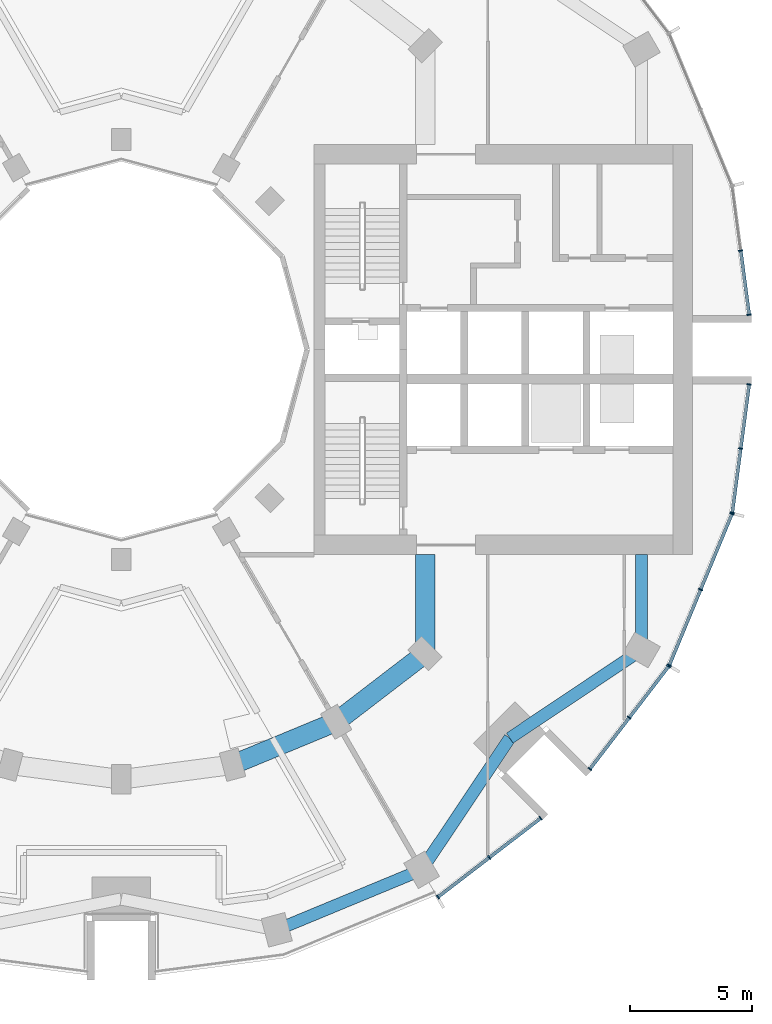
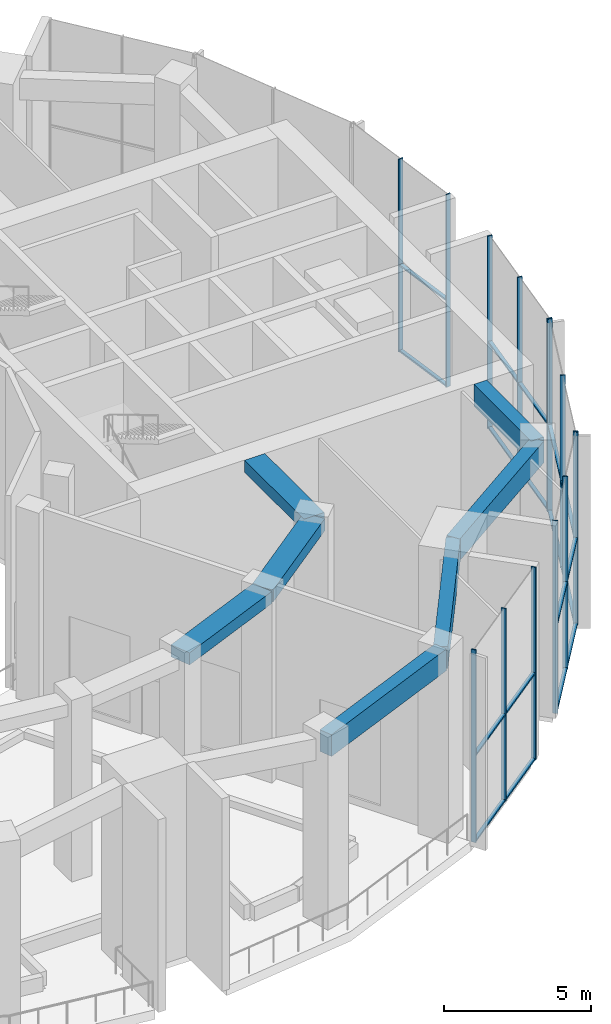
# One storey, part 5 of 18: 32 members, 7 beams, 5 elements without a shape of their own.
"""IFC4 building model written with IfcOpenShell, lengths in metres."""

import ifcopenshell
import ifcopenshell.guid

model = None  # the IFC model being written
_history = None  # IfcOwnerHistory: only IFC2X3 demands one
_inside = {}  # id of a spatial element -> (the spatial element, [elements in it])
_under = {}  # id of a project, library or spatial element -> (it, [spatial elements below it])
_declared = {}  # id of a project -> (the project, [libraries it declares])
_typed = {}  # id of a type object -> (the type object, [elements of that type])
_made_of = {}  # id of a material, layer set ... -> (it, [elements and type objects made of it])


def new_model(schema):
    """Start an empty IFC model of exactly this schema.

    Asked for "IFC4X3", IfcOpenShell would pick the latest addendum, in which some entities
    have other attributes; the version numbers below select the first issue.
    IFC2X3 requires an IfcOwnerHistory on every rooted entity: one is made here for all.
    """
    global model, _history
    if schema == "IFC4X3":
        model = ifcopenshell.file(schema_version=(4, 3, 0, 0))
    else:
        model = ifcopenshell.file(schema=schema)
    _inside.clear()
    _under.clear()
    _declared.clear()
    _typed.clear()
    _made_of.clear()
    _history = None
    if model.schema == "IFC2X3":
        org = make("IfcOrganization", Name="unknown")
        user = make(
            "IfcPersonAndOrganization",
            ThePerson=make("IfcPerson", FamilyName="unknown"),
            TheOrganization=org,
        )
        app = make(
            "IfcApplication",
            ApplicationDeveloper=org,
            Version="unknown",
            ApplicationFullName="unknown",
            ApplicationIdentifier="unknown",
        )
        _history = make(
            "IfcOwnerHistory",
            OwningUser=user,
            OwningApplication=app,
            ChangeAction="ADDED",
            CreationDate=0,
        )
    return model


def make(cls, **values):
    """One entity of the class cls with the attributes given. An attribute that is None is left unset."""
    return model.create_entity(
        cls, **{name: value for name, value in values.items() if value is not None}
    )


def rooted(cls, **values):
    """An entity with a GlobalId (a new one), such as an element, a storey or a relation."""
    return make(cls, GlobalId=ifcopenshell.guid.new(), OwnerHistory=_history, **values)


def si_unit(unit_type, name, prefix=None):
    """IfcSIUnit, for example si_unit("LENGTHUNIT", "METRE", prefix="MILLI")."""
    return make("IfcSIUnit", UnitType=unit_type, Prefix=prefix, Name=name)


def assignment(units):
    """IfcUnitAssignment: the units of a project."""
    return None if units is None else make("IfcUnitAssignment", Units=units)


def point(xyz):
    """IfcCartesianPoint."""
    return None if xyz is None else make("IfcCartesianPoint", Coordinates=xyz)


def direction(xyz):
    """IfcDirection."""
    return None if xyz is None else make("IfcDirection", DirectionRatios=xyz)


def frame(location, z_axis=None, x_axis=None):
    """IfcAxis2Placement3D, a coordinate frame: its origin and axes. An axis left out is left unset."""
    return make(
        "IfcAxis2Placement3D",
        Location=point(location),
        Axis=direction(z_axis),
        RefDirection=direction(x_axis),
    )


def frame_2d(location, x_axis=None):
    """IfcAxis2Placement2D, a coordinate frame in the plane: its origin and x axis."""
    return make(
        "IfcAxis2Placement2D", Location=point(location), RefDirection=direction(x_axis)
    )


def origin():
    """The frame at (0, 0, 0) with its axes left unset."""
    return frame((0.0, 0.0, 0.0))


def origin_2d():
    """The frame at (0, 0) in the plane with its x axis left unset."""
    return frame_2d((0.0, 0.0))


def place(relative_to, where):
    """IfcLocalPlacement: puts the frame where relative to a parent placement (None: the world)."""
    return make(
        "IfcLocalPlacement", PlacementRelTo=relative_to, RelativePlacement=where
    )


def context(
    kind, dimensions, precision=None, world=None, true_north=None, identifier=None
):
    """IfcGeometricRepresentationContext, for example the 3D "Model" context."""
    return make(
        "IfcGeometricRepresentationContext",
        ContextIdentifier=identifier,
        ContextType=kind,
        CoordinateSpaceDimension=dimensions,
        Precision=precision,
        WorldCoordinateSystem=world,
        TrueNorth=true_north,
    )


def subcontext(parent, identifier, kind, view, scale=None):
    """IfcGeometricRepresentationSubContext, for example "Body" below "Model"."""
    return make(
        "IfcGeometricRepresentationSubContext",
        ContextIdentifier=identifier,
        ContextType=kind,
        ParentContext=parent,
        TargetScale=scale,
        TargetView=view,
    )


def project(units=None, contexts=None):
    """IfcProject with its units and contexts."""
    return rooted(
        "IfcProject",
        Name="project",
        RepresentationContexts=contexts,
        UnitsInContext=assignment(units),
    )


def spatial(cls, under=None, at=None, **own):
    """A site, building, storey or space (cls), placed at a placement, below another one or the project."""
    s = rooted(cls, ObjectPlacement=at, **own)
    if under is not None:
        _under.setdefault(under.id(), (under, []))[1].append(s)
    return s


def profile(cls, at=None, kind="AREA", **sizes):
    """A parametric profile (cls). Its sizes go by their IFC names, for example OverallWidth=200.0."""
    return make(cls, ProfileType=kind, Position=at, **sizes)


def rectangle(**sizes):
    """IfcRectangleProfileDef."""
    return profile("IfcRectangleProfileDef", **sizes)


def extrude(swept, where, along, depth):
    """IfcExtrudedAreaSolid: the profile swept, set in the frame where, extruded along a direction by depth."""
    return make(
        "IfcExtrudedAreaSolid",
        SweptArea=swept,
        Position=where,
        ExtrudedDirection=direction(along),
        Depth=depth,
    )


def shape(context_of_items, identifier, shape_type, items):
    """IfcShapeRepresentation: the items that make up one representation, for example the "Body"."""
    return make(
        "IfcShapeRepresentation",
        ContextOfItems=context_of_items,
        RepresentationIdentifier=identifier,
        RepresentationType=shape_type,
        Items=items,
    )


def material(Name=None, Category=None):
    """IfcMaterial."""
    return make("IfcMaterial", Name=Name, Category=Category)


def layer(
    of_material, thickness, ventilated=None, Name=None, Category=None, Priority=None
):
    """IfcMaterialLayer: one layer of a wall or slab, of a material (None: an air gap)."""
    return make(
        "IfcMaterialLayer",
        Material=of_material,
        LayerThickness=thickness,
        IsVentilated=ventilated,
        Name=Name,
        Category=Category,
        Priority=Priority,
    )


def layer_set(layers, Name=None):
    """IfcMaterialLayerSet."""
    return make("IfcMaterialLayerSet", MaterialLayers=layers, LayerSetName=Name)


def material_profile(
    of_material, cross_section, Name=None, Category=None, Priority=None
):
    """IfcMaterialProfile: a cross section and its material."""
    return make(
        "IfcMaterialProfile",
        Name=Name,
        Material=of_material,
        Profile=cross_section,
        Priority=Priority,
        Category=Category,
    )


def profile_set(profiles, Name=None, composite=None):
    """IfcMaterialProfileSet."""
    return make(
        "IfcMaterialProfileSet",
        Name=Name,
        MaterialProfiles=profiles,
        CompositeProfile=composite,
    )


def made_of(thing, what):
    """Note that an element or type object is made of a material, layer set ...; save() writes the relation."""
    if what is not None:
        _made_of.setdefault(what.id(), (what, []))[1].append(thing)
    return thing


def type_object(cls, material=None, **own):
    """A type object (cls), such as IfcWallType, which elements share."""
    return made_of(rooted(cls, **own), material)


def element(
    cls,
    number,
    at=None,
    inside=None,
    cuts=None,
    type_object=None,
    material=None,
    context=None,
    identifier="Body",
    shape_type=None,
    held_by="IfcProductDefinitionShape",
    body=None,
    shapes=None,
    **own,
):
    """One element of the class cls, such as IfcWall. Its Tag is "e" and its number.

    at: its placement. inside: the storey or other place that contains it. cuts: it is an
    opening in that element (IfcRelVoidsElement). A single representation is given by context,
    identifier, shape_type and body (its items); several are given by shapes. held_by: the class
    of the entity that holds the representations. save() writes the other relations.
    """
    e = rooted(cls, Tag="e%d" % number, ObjectPlacement=at, **own)
    if body is not None:
        shapes = [shape(context, identifier, shape_type, body)]
    if shapes is not None:
        e.Representation = make(held_by, Representations=shapes)
    if inside is not None:
        _inside.setdefault(inside.id(), (inside, []))[1].append(e)
    if cuts is not None:
        rooted(
            "IfcRelVoidsElement", RelatingBuildingElement=cuts, RelatedOpeningElement=e
        )
    if type_object is not None:
        _typed.setdefault(type_object.id(), (type_object, []))[1].append(e)
    return made_of(e, material)


def aggregate(whole, parts):
    """IfcRelAggregates: a whole, such as a stair, and the parts it consists of."""
    return rooted("IfcRelAggregates", RelatingObject=whole, RelatedObjects=parts)


def save(model, path):
    """Write the relations noted so far, then the file.

    IfcRelAggregates (storeys below a building ...), IfcRelContainedInSpatialStructure (elements
    in a storey), IfcRelDefinesByType, IfcRelAssociatesMaterial and IfcRelDeclares: one each for
    every whole, place, type object, material and project.
    """
    for whole, parts in _under.values():
        aggregate(whole, parts)
    for where, things in _inside.values():
        rooted(
            "IfcRelContainedInSpatialStructure",
            RelatedElements=things,
            RelatingStructure=where,
        )
    for kind, things in _typed.values():
        rooted("IfcRelDefinesByType", RelatedObjects=things, RelatingType=kind)
    for what, things in _made_of.values():
        rooted("IfcRelAssociatesMaterial", RelatedObjects=things, RelatingMaterial=what)
    for by, libraries in _declared.values():
        rooted("IfcRelDeclares", RelatingContext=by, RelatedDefinitions=libraries)
    model.write(path)


model = new_model("IFC4")

# Units and contexts
model_context = context("Model", 3, precision=1e-05, world=origin(), true_north=direction((0.0, 1.0)))
body_context = subcontext(model_context, "Body", "Model", "MODEL_VIEW")
ifc_project = project(units=[si_unit("LENGTHUNIT", "METRE"), si_unit("AREAUNIT", "SQUARE_METRE"), si_unit("VOLUMEUNIT", "CUBIC_METRE"), si_unit("PLANEANGLEUNIT", "RADIAN"), si_unit("MASSUNIT", "GRAM", prefix="KILO")], contexts=[model_context])

# Site, building, storey
site_placement = place(None, origin())
site = spatial("IfcSite", under=ifc_project, at=site_placement, CompositionType="ELEMENT")
building_placement = place(site_placement, origin())
building = spatial("IfcBuilding", under=site, at=building_placement, Name="Torre Brocal", CompositionType="ELEMENT")
storey_placement = place(building_placement, frame((0.0, 0.0, 74.39990234375)))
storey = spatial("IfcBuildingStorey", under=building, at=storey_placement, Name="L17", CompositionType="ELEMENT", Elevation=74.39990234375)

# Curtain wall, members
ifc_material_1 = material(Name="Aluminium and glass", Category="aluminium")
ifc_layer = layer(ifc_material_1, 0.199951171875)
ifc_layer_set = layer_set([ifc_layer], Name="Aluminium and glass")
curtain_wall_type = type_object("IfcCurtainWallType", Name="CW-4 CURTAIN WALL 8000 HIGH", PredefinedType="NOTDEFINED", material=ifc_layer_set)
curtain_wall_1_placement = place(storey_placement, origin())
curtain_wall_1 = element("IfcCurtainWall", 1, at=curtain_wall_1_placement, inside=storey, type_object=curtain_wall_type, Name="CW-4 RUN 1", PredefinedType="NOTDEFINED")
ifc_material_2 = material(Name="Aluminium, dark anodised", Category="aluminium")
ifc_material_profile_1 = material_profile(ifc_material_2, rectangle(XDim=0.179931640625, YDim=0.050048828125, at=origin_2d()), Name="CW-4 MULLION 50X180")
ifc_profile_set_1 = profile_set([ifc_material_profile_1], Name="Aluminium, dark anodised")
member_type_1 = type_object("IfcMemberType", Name="CW-4 MULLION 50X180", PredefinedType="MULLION", material=ifc_profile_set_1)
member_1_placement = place(storey_placement, frame((105.711669921875, 76.4248046875, 0.0), z_axis=(0.0, 0.0, 1.0), x_axis=(-0.991444861374, -0.13052619222, 0.0)))
member_1 = element("IfcMember", 2, at=member_1_placement, type_object=member_type_1, Name="CW4-1 mullion 1", PredefinedType="MULLION", context=body_context, shape_type="SweptSolid", body=[
    extrude(rectangle(XDim=0.179931640625, YDim=0.050048828125, at=origin_2d()), origin(), (0.0, 0.0, 1.0), 8.0),
])
member_2_placement = place(storey_placement, frame((105.36572265625, 79.051513671875, 0.0), z_axis=(0.0, 0.0, 1.0), x_axis=(-0.991444861374, -0.13052619222, 0.0)))
member_2 = element("IfcMember", 3, at=member_2_placement, type_object=member_type_1, Name="CW4-1 mullion 2", PredefinedType="MULLION", context=body_context, shape_type="SweptSolid", body=[
    extrude(rectangle(XDim=0.179931640625, YDim=0.050048828125, at=origin_2d()), origin(), (0.0, 0.0, 1.0), 8.0),
])

curtain_wall_2_placement = place(storey_placement, origin())
curtain_wall_2 = element("IfcCurtainWall", 4, at=curtain_wall_2_placement, inside=storey, type_object=curtain_wall_type, Name="CW-4 RUN 21", PredefinedType="NOTDEFINED")
member_3_placement = place(storey_placement, frame((92.969482421875, 52.5859375, 0.0), z_axis=(0.0, 0.0, 1.0), x_axis=(-0.60876142905, 0.793353340259, 0.0)))
member_3 = element("IfcMember", 5, at=member_3_placement, type_object=member_type_1, Name="CW4-1 mullion 1", PredefinedType="MULLION", context=body_context, shape_type="SweptSolid", body=[
    extrude(rectangle(XDim=0.179931640625, YDim=0.050048828125, at=origin_2d()), origin(), (0.0, 0.0, 1.0), 8.0),
])
member_4_placement = place(storey_placement, frame((95.0712890625, 54.19873046875, 0.0), z_axis=(0.0, 0.0, 1.0), x_axis=(-0.60876142905, 0.793353340259, 0.0)))
member_4 = element("IfcMember", 6, at=member_4_placement, type_object=member_type_1, Name="CW4-1 mullion 2", PredefinedType="MULLION", context=body_context, shape_type="SweptSolid", body=[
    extrude(rectangle(XDim=0.179931640625, YDim=0.050048828125, at=origin_2d()), origin(), (0.0, 0.0, 1.0), 8.0),
])
member_5_placement = place(storey_placement, frame((97.17333984375, 55.811767578125, 0.0), z_axis=(0.0, 0.0, 1.0), x_axis=(-0.60876142905, 0.793353340259, 0.0)))
member_5 = element("IfcMember", 7, at=member_5_placement, type_object=member_type_1, Name="CW4-1 mullion 3", PredefinedType="MULLION", context=body_context, shape_type="SweptSolid", body=[
    extrude(rectangle(XDim=0.179931640625, YDim=0.050048828125, at=origin_2d()), origin(), (0.0, 0.0, 1.0), 8.0),
])

curtain_wall_3_placement = place(storey_placement, origin())
curtain_wall_3 = element("IfcCurtainWall", 8, at=curtain_wall_3_placement, inside=storey, type_object=curtain_wall_type, Name="CW-4 RUN 22", PredefinedType="NOTDEFINED")
member_6_placement = place(storey_placement, frame((99.188232421875, 57.82666015625, 0.0), z_axis=(0.0, 0.0, 1.0), x_axis=(-0.793353340259, 0.60876142905, 0.0)))
member_6 = element("IfcMember", 9, at=member_6_placement, type_object=member_type_1, Name="CW4-1 mullion 1", PredefinedType="MULLION", context=body_context, shape_type="SweptSolid", body=[
    extrude(rectangle(XDim=0.179931640625, YDim=0.050048828125, at=origin_2d()), origin(), (0.0, 0.0, 1.0), 8.0),
])
member_7_placement = place(storey_placement, frame((100.80126953125, 59.9287109375, 0.0), z_axis=(0.0, 0.0, 1.0), x_axis=(-0.793353340259, 0.60876142905, 0.0)))
member_7 = element("IfcMember", 10, at=member_7_placement, type_object=member_type_1, Name="CW4-1 mullion 2", PredefinedType="MULLION", context=body_context, shape_type="SweptSolid", body=[
    extrude(rectangle(XDim=0.179931640625, YDim=0.050048828125, at=origin_2d()), origin(), (0.0, 0.0, 1.0), 8.0),
])
member_8_placement = place(storey_placement, frame((102.4140625, 62.030517578125, 0.0), z_axis=(0.0, 0.0, 1.0), x_axis=(-0.793353340259, 0.60876142905, 0.0)))
member_8 = element("IfcMember", 11, at=member_8_placement, type_object=member_type_1, Name="CW4-1 mullion 3", PredefinedType="MULLION", context=body_context, shape_type="SweptSolid", body=[
    extrude(rectangle(XDim=0.179931640625, YDim=0.050048828125, at=origin_2d()), origin(), (0.0, 0.0, 1.0), 8.0),
])

curtain_wall_4_placement = place(storey_placement, origin())
curtain_wall_4 = element("IfcCurtainWall", 12, at=curtain_wall_4_placement, inside=storey, type_object=curtain_wall_type, Name="CW-4 RUN 23", PredefinedType="NOTDEFINED")
member_9_placement = place(storey_placement, frame((102.43896484375, 62.073486328125, 0.0), z_axis=(0.0, 0.0, 1.0), x_axis=(-0.923879532525, 0.382683432333, 0.0)))
member_9 = element("IfcMember", 13, at=member_9_placement, type_object=member_type_1, Name="CW4-1 mullion 1", PredefinedType="MULLION", context=body_context, shape_type="SweptSolid", body=[
    extrude(rectangle(XDim=0.179931640625, YDim=0.050048828125, at=origin_2d()), origin(), (0.0, 0.0, 1.0), 8.0),
])
member_10_placement = place(storey_placement, frame((103.722900390625, 65.173583984375, 0.0), z_axis=(0.0, 0.0, 1.0), x_axis=(-0.923879532525, 0.382683432333, 0.0)))
member_10 = element("IfcMember", 14, at=member_10_placement, type_object=member_type_1, Name="CW4-1 mullion 2", PredefinedType="MULLION", context=body_context, shape_type="SweptSolid", body=[
    extrude(rectangle(XDim=0.179931640625, YDim=0.050048828125, at=origin_2d()), origin(), (0.0, 0.0, 1.0), 8.0),
])
member_11_placement = place(storey_placement, frame((105.007080078125, 68.273681640625, 0.0), z_axis=(0.0, 0.0, 1.0), x_axis=(-0.923879532525, 0.382683432333, 0.0)))
member_11 = element("IfcMember", 15, at=member_11_placement, type_object=member_type_1, Name="CW4-1 mullion 3", PredefinedType="MULLION", context=body_context, shape_type="SweptSolid", body=[
    extrude(rectangle(XDim=0.179931640625, YDim=0.050048828125, at=origin_2d()), origin(), (0.0, 0.0, 1.0), 8.0),
])

curtain_wall_5_placement = place(storey_placement, origin())
curtain_wall_5 = element("IfcCurtainWall", 16, at=curtain_wall_5_placement, inside=storey, type_object=curtain_wall_type, Name="CW-4 RUN 24", PredefinedType="NOTDEFINED")
member_12_placement = place(storey_placement, frame((105.02001953125, 68.321533203125, 0.0), z_axis=(0.0, 0.0, 1.0), x_axis=(-0.991444861374, 0.13052619222, 0.0)))
member_12 = element("IfcMember", 17, at=member_12_placement, type_object=member_type_1, Name="CW4-1 mullion 1", PredefinedType="MULLION", context=body_context, shape_type="SweptSolid", body=[
    extrude(rectangle(XDim=0.179931640625, YDim=0.050048828125, at=origin_2d()), origin(), (0.0, 0.0, 1.0), 8.0),
])
member_13_placement = place(storey_placement, frame((105.36572265625, 70.948486328125, 0.0), z_axis=(0.0, 0.0, 1.0), x_axis=(-0.991444861374, 0.13052619222, 0.0)))
member_13 = element("IfcMember", 18, at=member_13_placement, type_object=member_type_1, Name="CW4-1 mullion 2", PredefinedType="MULLION", context=body_context, shape_type="SweptSolid", body=[
    extrude(rectangle(XDim=0.179931640625, YDim=0.050048828125, at=origin_2d()), origin(), (0.0, 0.0, 1.0), 8.0),
])
member_14_placement = place(storey_placement, frame((105.711669921875, 73.5751953125, 0.0), z_axis=(0.0, 0.0, 1.0), x_axis=(-0.991444861374, 0.13052619222, 0.0)))
member_14 = element("IfcMember", 19, at=member_14_placement, type_object=member_type_1, Name="CW4-1 mullion 3", PredefinedType="MULLION", context=body_context, shape_type="SweptSolid", body=[
    extrude(rectangle(XDim=0.179931640625, YDim=0.050048828125, at=origin_2d()), origin(), (0.0, 0.0, 1.0), 8.0),
])

# Member
ifc_material_3 = material(Name="Aluminium, dark anodised", Category="aluminium")
ifc_material_profile_2 = material_profile(ifc_material_3, rectangle(XDim=0.139892578125, YDim=0.070068359375, at=origin_2d()), Name="CW-4 TRANSOM 140X70")
ifc_profile_set_2 = profile_set([ifc_material_profile_2], Name="Aluminium, dark anodised")
member_type_2 = type_object("IfcMemberType", Name="CW-4 TRANSOM 140X70", PredefinedType="USERDEFINED", material=ifc_profile_set_2)
member_15_placement = place(storey_placement, frame((105.708251953125, 76.449462890625, 0.03515625), z_axis=(-0.130539539143, 0.991443104127, 0.0), x_axis=(-0.991443104127, -0.130539539143, 0.0)))
member_15 = element("IfcMember", 20, at=member_15_placement, type_object=member_type_2, Name="CW4-1 transom 1.1", ObjectType="TRANSOM", PredefinedType="USERDEFINED", context=body_context, shape_type="SweptSolid", body=[
    extrude(rectangle(XDim=0.139892578125, YDim=0.070068359375, at=origin_2d()), origin(), (0.0, 0.0, 1.0), 2.599609375),
])

member_16_placement = place(storey_placement, frame((105.708251953125, 76.449462890625, 3.60009765625), z_axis=(-0.130539539143, 0.991443104127, 0.0), x_axis=(-0.991443104127, -0.130539539143, 0.0)))
member_16 = element("IfcMember", 21, at=member_16_placement, type_object=member_type_2, Name="CW4-1 transom 1.2", ObjectType="TRANSOM", PredefinedType="USERDEFINED", context=body_context, shape_type="SweptSolid", body=[
    extrude(rectangle(XDim=0.139892578125, YDim=0.070068359375, at=origin_2d()), origin(), (0.0, 0.0, 1.0), 2.599609375),
])

aggregate(curtain_wall_1, [member_1, member_2, member_15, member_16])

member_17_placement = place(storey_placement, frame((92.9892578125, 52.60107421875, 0.03515625), z_axis=(0.793335698171, 0.608784419977, 0.0), x_axis=(-0.608784419977, 0.793335698171, 0.0)))
member_17 = element("IfcMember", 22, at=member_17_placement, type_object=member_type_2, Name="CW4-1 transom 1.1", ObjectType="TRANSOM", PredefinedType="USERDEFINED", context=body_context, shape_type="SweptSolid", body=[
    extrude(rectangle(XDim=0.139892578125, YDim=0.070068359375, at=origin_2d()), origin(), (0.0, 0.0, 1.0), 2.599365234375),
])

member_18_placement = place(storey_placement, frame((92.9892578125, 52.60107421875, 3.60009765625), z_axis=(0.793335698171, 0.608784419977, 0.0), x_axis=(-0.608784419977, 0.793335698171, 0.0)))
member_18 = element("IfcMember", 23, at=member_18_placement, type_object=member_type_2, Name="CW4-1 transom 1.2", ObjectType="TRANSOM", PredefinedType="USERDEFINED", context=body_context, shape_type="SweptSolid", body=[
    extrude(rectangle(XDim=0.139892578125, YDim=0.070068359375, at=origin_2d()), origin(), (0.0, 0.0, 1.0), 2.599365234375),
])

member_19_placement = place(storey_placement, frame((95.09130859375, 54.214111328125, 0.03515625), z_axis=(0.79338105877, 0.608725303881, 0.0), x_axis=(-0.608725303881, 0.79338105877, 0.0)))
member_19 = element("IfcMember", 24, at=member_19_placement, type_object=member_type_2, Name="CW4-1 transom 2.1", ObjectType="TRANSOM", PredefinedType="USERDEFINED", context=body_context, shape_type="SweptSolid", body=[
    extrude(rectangle(XDim=0.139892578125, YDim=0.070068359375, at=origin_2d()), origin(), (0.0, 0.0, 1.0), 2.599365234375),
])

member_20_placement = place(storey_placement, frame((95.09130859375, 54.214111328125, 3.60009765625), z_axis=(0.79338105877, 0.608725303881, 0.0), x_axis=(-0.608725303881, 0.79338105877, 0.0)))
member_20 = element("IfcMember", 25, at=member_20_placement, type_object=member_type_2, Name="CW4-1 transom 2.2", ObjectType="TRANSOM", PredefinedType="USERDEFINED", context=body_context, shape_type="SweptSolid", body=[
    extrude(rectangle(XDim=0.139892578125, YDim=0.070068359375, at=origin_2d()), origin(), (0.0, 0.0, 1.0), 2.599365234375),
])

aggregate(curtain_wall_2, [member_3, member_4, member_5, member_17, member_18, member_19, member_20])

member_21_placement = place(storey_placement, frame((99.20361328125, 57.846435546875, 0.03515625), z_axis=(0.608725303881, 0.79338105877, 0.0), x_axis=(-0.79338105877, 0.608725303881, 0.0)))
member_21 = element("IfcMember", 26, at=member_21_placement, type_object=member_type_2, Name="CW4-1 transom 1.1", ObjectType="TRANSOM", PredefinedType="USERDEFINED", context=body_context, shape_type="SweptSolid", body=[
    extrude(rectangle(XDim=0.139892578125, YDim=0.070068359375, at=origin_2d()), origin(), (0.0, 0.0, 1.0), 2.599365234375),
])

member_22_placement = place(storey_placement, frame((99.20361328125, 57.846435546875, 3.60009765625), z_axis=(0.608725303881, 0.79338105877, 0.0), x_axis=(-0.79338105877, 0.608725303881, 0.0)))
member_22 = element("IfcMember", 27, at=member_22_placement, type_object=member_type_2, Name="CW4-1 transom 1.2", ObjectType="TRANSOM", PredefinedType="USERDEFINED", context=body_context, shape_type="SweptSolid", body=[
    extrude(rectangle(XDim=0.139892578125, YDim=0.070068359375, at=origin_2d()), origin(), (0.0, 0.0, 1.0), 2.599365234375),
])

member_23_placement = place(storey_placement, frame((100.81640625, 59.948486328125, 0.03515625), z_axis=(0.608784419977, 0.793335698171, 0.0), x_axis=(-0.793335698171, 0.608784419977, 0.0)))
member_23 = element("IfcMember", 28, at=member_23_placement, type_object=member_type_2, Name="CW4-1 transom 2.1", ObjectType="TRANSOM", PredefinedType="USERDEFINED", context=body_context, shape_type="SweptSolid", body=[
    extrude(rectangle(XDim=0.139892578125, YDim=0.070068359375, at=origin_2d()), origin(), (0.0, 0.0, 1.0), 2.599365234375),
])

member_24_placement = place(storey_placement, frame((100.81640625, 59.948486328125, 3.60009765625), z_axis=(0.608784419977, 0.793335698171, 0.0), x_axis=(-0.793335698171, 0.608784419977, 0.0)))
member_24 = element("IfcMember", 29, at=member_24_placement, type_object=member_type_2, Name="CW4-1 transom 2.2", ObjectType="TRANSOM", PredefinedType="USERDEFINED", context=body_context, shape_type="SweptSolid", body=[
    extrude(rectangle(XDim=0.139892578125, YDim=0.070068359375, at=origin_2d()), origin(), (0.0, 0.0, 1.0), 2.599365234375),
])

aggregate(curtain_wall_3, [member_6, member_7, member_8, member_21, member_22, member_23, member_24])

member_25_placement = place(storey_placement, frame((102.448486328125, 62.0966796875, 0.03515625), z_axis=(0.382658376168, 0.92388991073, 0.0), x_axis=(-0.92388991073, 0.382658376168, 0.0)))
member_25 = element("IfcMember", 30, at=member_25_placement, type_object=member_type_2, Name="CW4-1 transom 1.1", ObjectType="TRANSOM", PredefinedType="USERDEFINED", context=body_context, shape_type="SweptSolid", body=[
    extrude(rectangle(XDim=0.139892578125, YDim=0.070068359375, at=origin_2d()), origin(), (0.0, 0.0, 1.0), 3.305419921875),
])

member_26_placement = place(storey_placement, frame((102.448486328125, 62.0966796875, 3.60009765625), z_axis=(0.382658376168, 0.92388991073, 0.0), x_axis=(-0.92388991073, 0.382658376168, 0.0)))
member_26 = element("IfcMember", 31, at=member_26_placement, type_object=member_type_2, Name="CW4-1 transom 1.2", ObjectType="TRANSOM", PredefinedType="USERDEFINED", context=body_context, shape_type="SweptSolid", body=[
    extrude(rectangle(XDim=0.139892578125, YDim=0.070068359375, at=origin_2d()), origin(), (0.0, 0.0, 1.0), 3.305419921875),
])

member_27_placement = place(storey_placement, frame((103.732666015625, 65.19677734375, 0.03515625), z_axis=(0.382658376168, 0.92388991073, 0.0), x_axis=(-0.92388991073, 0.382658376168, 0.0)))
member_27 = element("IfcMember", 32, at=member_27_placement, type_object=member_type_2, Name="CW4-1 transom 2.1", ObjectType="TRANSOM", PredefinedType="USERDEFINED", context=body_context, shape_type="SweptSolid", body=[
    extrude(rectangle(XDim=0.139892578125, YDim=0.070068359375, at=origin_2d()), origin(), (0.0, 0.0, 1.0), 3.305419921875),
])

member_28_placement = place(storey_placement, frame((103.732666015625, 65.19677734375, 3.60009765625), z_axis=(0.382658376168, 0.92388991073, 0.0), x_axis=(-0.92388991073, 0.382658376168, 0.0)))
member_28 = element("IfcMember", 33, at=member_28_placement, type_object=member_type_2, Name="CW4-1 transom 2.2", ObjectType="TRANSOM", PredefinedType="USERDEFINED", context=body_context, shape_type="SweptSolid", body=[
    extrude(rectangle(XDim=0.139892578125, YDim=0.070068359375, at=origin_2d()), origin(), (0.0, 0.0, 1.0), 3.305419921875),
])

aggregate(curtain_wall_4, [member_9, member_10, member_11, member_25, member_26, member_27, member_28])

member_29_placement = place(storey_placement, frame((105.023193359375, 68.346435546875, 0.03515625), z_axis=(0.130551694767, 0.991441503566, 0.0), x_axis=(-0.991441503566, 0.130551694767, 0.0)))
member_29 = element("IfcMember", 34, at=member_29_placement, type_object=member_type_2, Name="CW4-1 transom 1.1", ObjectType="TRANSOM", PredefinedType="USERDEFINED", context=body_context, shape_type="SweptSolid", body=[
    extrude(rectangle(XDim=0.139892578125, YDim=0.070068359375, at=origin_2d()), origin(), (0.0, 0.0, 1.0), 2.599365234375),
])

member_30_placement = place(storey_placement, frame((105.023193359375, 68.346435546875, 3.60009765625), z_axis=(0.130551694767, 0.991441503566, 0.0), x_axis=(-0.991441503566, 0.130551694767, 0.0)))
member_30 = element("IfcMember", 35, at=member_30_placement, type_object=member_type_2, Name="CW4-1 transom 1.2", ObjectType="TRANSOM", PredefinedType="USERDEFINED", context=body_context, shape_type="SweptSolid", body=[
    extrude(rectangle(XDim=0.139892578125, YDim=0.070068359375, at=origin_2d()), origin(), (0.0, 0.0, 1.0), 2.599365234375),
])

member_31_placement = place(storey_placement, frame((105.368896484375, 70.97314453125, 0.03515625), z_axis=(0.130539539143, 0.991443104127, 0.0), x_axis=(-0.991443104127, 0.130539539143, 0.0)))
member_31 = element("IfcMember", 36, at=member_31_placement, type_object=member_type_2, Name="CW4-1 transom 2.1", ObjectType="TRANSOM", PredefinedType="USERDEFINED", context=body_context, shape_type="SweptSolid", body=[
    extrude(rectangle(XDim=0.139892578125, YDim=0.070068359375, at=origin_2d()), origin(), (0.0, 0.0, 1.0), 2.599609375),
])

member_32_placement = place(storey_placement, frame((105.368896484375, 70.97314453125, 3.60009765625), z_axis=(0.130539539143, 0.991443104127, 0.0), x_axis=(-0.991443104127, 0.130539539143, 0.0)))
member_32 = element("IfcMember", 37, at=member_32_placement, type_object=member_type_2, Name="CW4-1 transom 2.2", ObjectType="TRANSOM", PredefinedType="USERDEFINED", context=body_context, shape_type="SweptSolid", body=[
    extrude(rectangle(XDim=0.139892578125, YDim=0.070068359375, at=origin_2d()), origin(), (0.0, 0.0, 1.0), 2.599609375),
])

aggregate(curtain_wall_5, [member_12, member_13, member_14, member_29, member_30, member_31, member_32])

# Beams
ifc_material_4 = material(Name="Concrete C50", Category="concrete")
ifc_material_profile_3 = material_profile(ifc_material_4, rectangle(XDim=0.800048828125, YDim=0.5, at=origin_2d()), Name="RC 800X500")
ifc_profile_set_3 = profile_set([ifc_material_profile_3], Name="Concrete C50")
beam_type_1 = type_object("IfcBeamType", Name="RC BEAM 800X500 C50 TOP 7680", PredefinedType="BEAM", material=ifc_profile_set_3)
beam_1_placement = place(storey_placement, frame((84.55517578125, 57.999755859375, 7.43017578125), z_axis=(0.923878240166, 0.382686552348, 0.0), x_axis=(-0.382686552348, 0.923878240166, 0.0)))
element("IfcBeam", 38, at=beam_1_placement, inside=storey, type_object=beam_type_1, Name="Beam BT-23", PredefinedType="BEAM", context=body_context, shape_type="SweptSolid", body=[
    extrude(rectangle(XDim=0.800048828125, YDim=0.5, at=origin_2d()), origin(), (0.0, 0.0, 1.0), 4.5947265625),
])
beam_2_placement = place(storey_placement, frame((88.800048828125, 59.758056640625, 7.43017578125), z_axis=(0.793358265959, 0.6087550097, 0.0), x_axis=(-0.6087550097, 0.793358265959, 0.0)))
element("IfcBeam", 39, at=beam_2_placement, inside=storey, type_object=beam_type_1, Name="Beam BT-23", PredefinedType="BEAM", context=body_context, shape_type="SweptSolid", body=[
    extrude(rectangle(XDim=0.800048828125, YDim=0.5, at=origin_2d()), origin(), (0.0, 0.0, 1.0), 4.594482421875),
])
beam_3_placement = place(storey_placement, frame((92.445068359375, 62.554931640625, 7.43017578125), z_axis=(0.0, 1.0, 0.0), x_axis=(-1.0, 0.0, 0.0)))
element("IfcBeam", 40, at=beam_3_placement, inside=storey, type_object=beam_type_1, Name="Beam BT-23", PredefinedType="BEAM", context=body_context, shape_type="SweptSolid", body=[
    extrude(rectangle(XDim=0.800048828125, YDim=0.5, at=origin_2d()), origin(), (0.0, 0.0, 1.0), 4.045166015625),
])
ifc_material_5 = material(Name="Concrete C50", Category="concrete")
ifc_material_profile_4 = material_profile(ifc_material_5, rectangle(XDim=0.5, YDim=0.89990234375, at=origin_2d()), Name="RC 500X900")
ifc_profile_set_4 = profile_set([ifc_material_profile_4], Name="Concrete C50")
beam_type_2 = type_object("IfcBeamType", Name="RC SPANDREL BEAM 500X900 C50 TOP 7680", PredefinedType="SPANDREL", material=ifc_profile_set_4)
beam_4_placement = place(storey_placement, frame((86.366943359375, 51.23828125, 7.22998046875), z_axis=(0.923882462513, 0.382676358639, 0.0), x_axis=(-0.382676358639, 0.923882462513, 0.0)))
element("IfcBeam", 41, at=beam_4_placement, inside=storey, type_object=beam_type_2, Name="Beam BT-24", PredefinedType="SPANDREL", context=body_context, shape_type="SweptSolid", body=[
    extrude(rectangle(XDim=0.5, YDim=0.89990234375, at=origin_2d()), origin(), (0.0, 0.0, 1.0), 6.421875),
])
for number, where, z_axis, x_axis, name in (
    (42, (92.300048828125, 53.69580078125, 7.22998046875), (0.556157602282, 0.831076844476, 0.0), (-0.831076844476, 0.556157602282, 0.0), "Beam BT-24"),
    (43, (95.909912109375, 59.090087890625, 7.22998046875), (0.831076844476, 0.556157602282, 0.0), (-0.556157602282, 0.831076844476, 0.0), "Beam BT-24"),
):
    element("IfcBeam", number, at=place(storey_placement, frame(where, z_axis=z_axis, x_axis=x_axis)), inside=storey, type_object=beam_type_2, Name=name, PredefinedType="SPANDREL", context=body_context, shape_type="SweptSolid", body=[
        extrude(rectangle(XDim=0.5, YDim=0.89990234375, at=origin_2d()), origin(), (0.0, 0.0, 1.0), 6.49072265625),
    ])
beam_5_placement = place(storey_placement, frame((101.30419921875, 62.699951171875, 7.22998046875), z_axis=(0.0, 1.0, 0.0), x_axis=(-1.0, 0.0, 0.0)))
element("IfcBeam", 44, at=beam_5_placement, inside=storey, type_object=beam_type_2, Name="Beam BT-24", PredefinedType="SPANDREL", context=body_context, shape_type="SweptSolid", body=[
    extrude(rectangle(XDim=0.5, YDim=0.89990234375, at=origin_2d()), origin(), (0.0, 0.0, 1.0), 3.900146484375),
])

save(model, "model.ifc")
